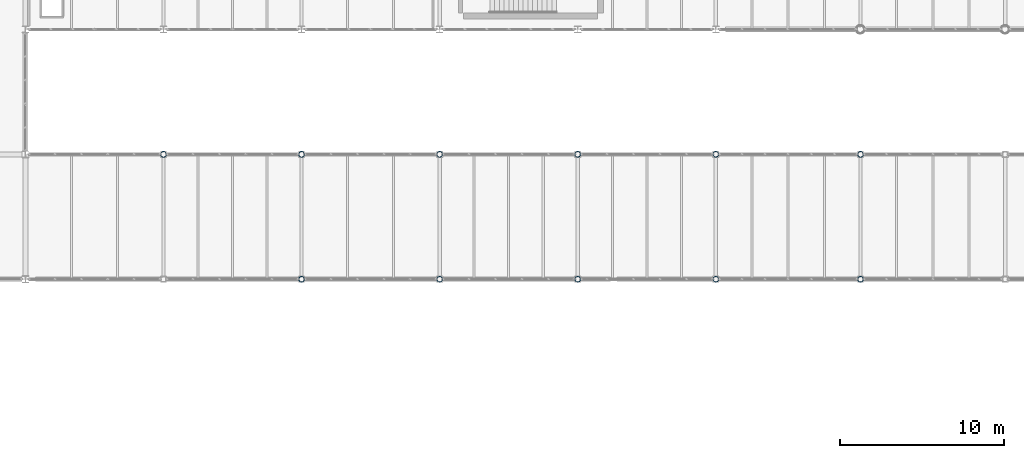
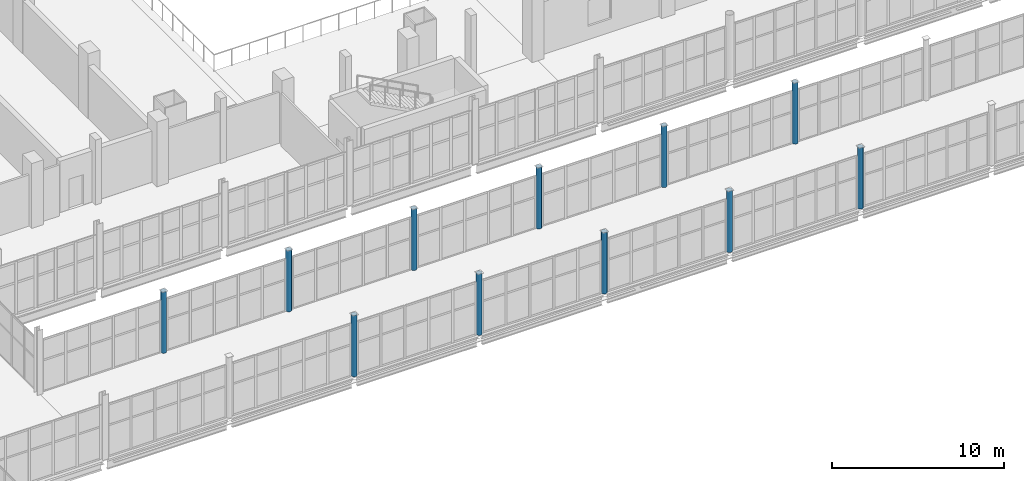
# One storey, part 5 of 172: 11 columns.
"""IFC4 building model written with IfcOpenShell, lengths in metres."""

from ifc_helpers import new_model, si_unit, direction, frame, origin, origin_2d, place, context, subcontext, project, spatial, hollow_circle, extrude, material, material_profile, profile_set, type_object, element, save


model = new_model("IFC4")

# Units and contexts
model_context = context("Model", 3, precision=1e-05, world=origin(), true_north=direction((0.0, 1.0)))
body_context = subcontext(model_context, "Body", "Model", "MODEL_VIEW")
ifc_project = project(units=[si_unit("LENGTHUNIT", "METRE"), si_unit("AREAUNIT", "SQUARE_METRE"), si_unit("VOLUMEUNIT", "CUBIC_METRE"), si_unit("PLANEANGLEUNIT", "RADIAN"), si_unit("MASSUNIT", "GRAM", prefix="KILO")], contexts=[model_context])

# Site, building, storey
site_placement = place(None, origin())
site = spatial("IfcSite", under=ifc_project, at=site_placement, CompositionType="ELEMENT")
building_placement = place(site_placement, origin())
building = spatial("IfcBuilding", under=site, at=building_placement, Name="Shengluoqiao Park Theatre", CompositionType="ELEMENT")
storey_placement = place(building_placement, frame((0.0, 0.0, 5.39990234375)))
storey = spatial("IfcBuildingStorey", under=building, at=storey_placement, Name="L01", CompositionType="ELEMENT", Elevation=5.39990234375)

# Columns
ifc_material = material(Name="Steel Q355", Category="steel")
ifc_material_profile = material_profile(ifc_material, hollow_circle(Radius=0.177978515625, WallThickness=0.013916015625, at=origin_2d()), Name="CHS 356x14")
ifc_profile_set = profile_set([ifc_material_profile], Name="Steel Q355")
column_type = type_object("IfcColumnType", Name="STR-COL-C-CHS356", PredefinedType="COLUMN", material=ifc_profile_set)
for number, where, z_axis, x_axis, name in (
    (1, (52.800048828125, 60.800048828125, 0.0), (0.0, 0.0, 1.0), (1.0, 0.0, 0.0), "L01 Column 0258"),
    (2, (61.199951171875, 53.199951171875, 0.0), (0.0, 0.0, 1.0), (1.0, 0.0, 0.0), "L01 Column 0304"),
    (3, (61.199951171875, 60.800048828125, 0.0), (0.0, 0.0, 1.0), (1.0, 0.0, 0.0), "L01 Column 0306"),
    (4, (69.60009765625, 53.199951171875, 0.0), (0.0, 0.0, 1.0), (1.0, 0.0, 0.0), "L01 Column 0352"),
    (5, (69.60009765625, 60.800048828125, 0.0), (0.0, 0.0, 1.0), (1.0, 0.0, 0.0), "L01 Column 0354"),
    (6, (78.0, 53.199951171875, 0.0), (0.0, 0.0, 1.0), (1.0, 0.0, 0.0), "L01 Column 0384"),
    (7, (78.0, 60.800048828125, 0.0), (0.0, 0.0, 1.0), (1.0, 0.0, 0.0), "L01 Column 0386"),
    (8, (86.39990234375, 53.199951171875, 0.0), (0.0, 0.0, 1.0), (1.0, 0.0, 0.0), "L01 Column 0416"),
    (9, (86.39990234375, 60.800048828125, 0.0), (0.0, 0.0, 1.0), (1.0, 0.0, 0.0), "L01 Column 0418"),
    (10, (95.199951171875, 53.199951171875, 0.0), (0.0, 0.0, 1.0), (1.0, 0.0, 0.0), "L01 Column 0458"),
    (11, (95.199951171875, 60.800048828125, 0.0), (0.0, 0.0, 1.0), (1.0, 0.0, 0.0), "L01 Column 0460"),
):
    element("IfcColumn", number, at=place(storey_placement, frame(where, z_axis=z_axis, x_axis=x_axis)), inside=storey, type_object=column_type, Name=name, PredefinedType="COLUMN", context=body_context, shape_type="SweptSolid", body=[
        extrude(hollow_circle(Radius=0.177978515625, WallThickness=0.013916015625, at=origin_2d()), origin(), (0.0, 0.0, 1.0), 4.35009765625),
    ])

save(model, "model.ifc")
